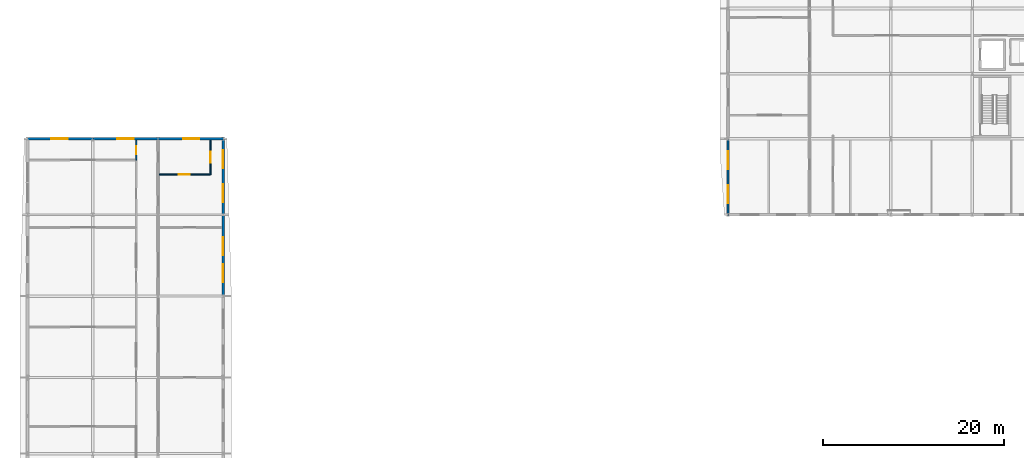
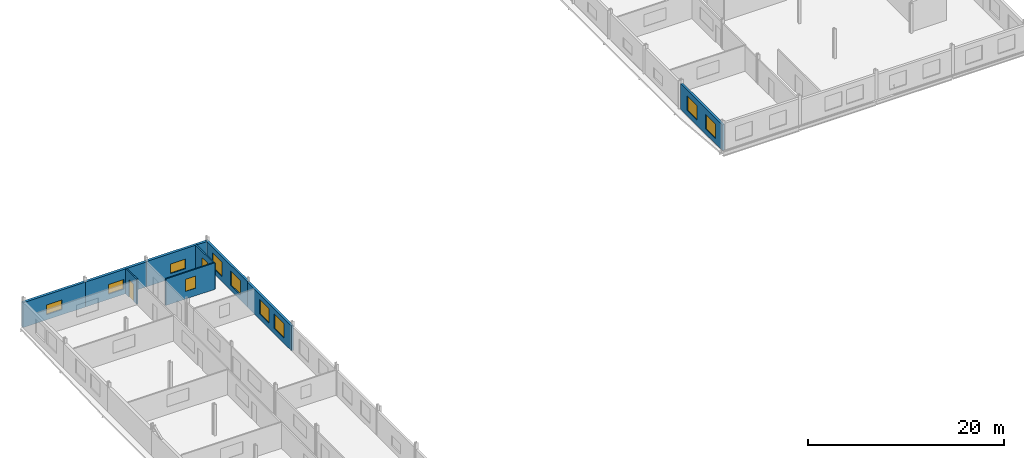
# One storey, part 23 of 30: 11 windows, 9 walls, 1 door, 12 openings.
"""IFC4 building model written with IfcOpenShell, lengths in metres."""

from ifc_helpers import new_model, si_unit, direction, frame, frame_2d, origin, place, context, subcontext, project, spatial, rectangle, extrude, material, layer, layer_set, type_object, element, fill, save


model = new_model("IFC4")

# Units and contexts
model_context = context("Model", 3, precision=1e-05, world=origin(), true_north=direction((0.0, 1.0)))
body_context = subcontext(model_context, "Body", "Model", "MODEL_VIEW")
ifc_project = project(units=[si_unit("LENGTHUNIT", "METRE"), si_unit("AREAUNIT", "SQUARE_METRE"), si_unit("VOLUMEUNIT", "CUBIC_METRE"), si_unit("PLANEANGLEUNIT", "RADIAN"), si_unit("MASSUNIT", "GRAM", prefix="KILO")], contexts=[model_context])

# Site, building, storey
site_placement = place(None, origin())
site = spatial("IfcSite", under=ifc_project, at=site_placement, CompositionType="ELEMENT")
building_placement = place(site_placement, origin())
building = spatial("IfcBuilding", under=site, at=building_placement, Name="Vinh Khe Railworks Police Headquarters", CompositionType="ELEMENT")
storey_placement = place(building_placement, frame((0.0, 0.0, 21.0)))
storey = spatial("IfcBuildingStorey", under=building, at=storey_placement, Name="L05", CompositionType="ELEMENT", Elevation=21.0)

# Wall, openings, windows
ifc_material_1 = material(Name="Clay brickwork", Category="masonry")
ifc_layer_1 = layer(ifc_material_1, 0.260009765625)
ifc_layer_set_1 = layer_set([ifc_layer_1], Name="Clay brickwork")
wall_type_1 = type_object("IfcWallType", Name="EW-BRK-260", PredefinedType="SOLIDWALL", material=ifc_layer_set_1)
wall_1_placement = place(storey_placement, frame((22.199951171875, 113.39990234375, 0.0), z_axis=(0.0, 0.0, 1.0), x_axis=(0.0, 1.0, 0.0)))
wall_1 = element("IfcWall", 1, at=wall_1_placement, inside=storey, type_object=wall_type_1, Name="Exterior Brick Wall EW-L05-V5E-15", PredefinedType="SOLIDWALL", context=body_context, shape_type="SweptSolid", body=[
    extrude(rectangle(XDim=9.0, YDim=0.260009765625, at=frame_2d((4.5, 0.0))), origin(), (0.0, 0.0, 1.0), 3.10498046875),
])
opening_1_placement = place(wall_1_placement, frame((1.52001953125, 0.0, 0.64990234375)))
opening_1 = element("IfcOpeningElement", 2, at=opening_1_placement, cuts=wall_1, Name="Opening WN-04", PredefinedType="OPENING", context=body_context, shape_type="SweptSolid", body=[
    extrude(rectangle(XDim=2.0, YDim=1.800048828125, at=frame_2d((1.0, 0.89990234375))), frame((0.0, 0.14501953125, 0.0), z_axis=(0.0, -1.0, 0.0), x_axis=(1.0, 0.0, 0.0)), (0.0, 0.0, 1.0), 0.289794921875),
])
opening_2_placement = place(wall_1_placement, frame((4.530029296875, 0.0, 0.64990234375)))
opening_2 = element("IfcOpeningElement", 3, at=opening_2_placement, cuts=wall_1, Name="Opening WN-04", PredefinedType="OPENING", context=body_context, shape_type="SweptSolid", body=[
    extrude(rectangle(XDim=2.0, YDim=1.800048828125, at=frame_2d((1.0, 0.89990234375))), frame((0.0, 0.14501953125, 0.0), z_axis=(0.0, -1.0, 0.0), x_axis=(1.0, 0.0, 0.0)), (0.0, 0.0, 1.0), 0.289794921875),
])
ifc_material_2 = material(Name="Double-glazed solar-control glass in dark steel frame", Category="steel")
window_type_1 = type_object("IfcWindowType", Name="WIN-WN-04", PartitioningType="DOUBLE_PANEL_VERTICAL", PredefinedType="WINDOW", material=ifc_material_2)
window_1_placement = place(opening_1_placement, origin())
window_1 = element("IfcWindow", 4, at=window_1_placement, inside=storey, type_object=window_type_1, Name="Casement Window WN-04", OverallHeight=1.800048828125, OverallWidth=2.0, PartitioningType="SINGLE_PANEL", PredefinedType="WINDOW", context=body_context, shape_type="SweptSolid", body=[
    extrude(rectangle(XDim=2.0, YDim=1.800048828125, at=frame_2d((1.0, 0.89990234375))), frame((0.0, 0.030029296875, 0.0), z_axis=(0.0, -1.0, 0.0), x_axis=(1.0, 0.0, 0.0)), (0.0, 0.0, 1.0), 0.06005859375),
])
fill(opening_1, window_1)
window_2_placement = place(opening_2_placement, origin())
window_2 = element("IfcWindow", 5, at=window_2_placement, inside=storey, type_object=window_type_1, Name="Casement Window WN-04", OverallHeight=1.800048828125, OverallWidth=2.0, PartitioningType="SINGLE_PANEL", PredefinedType="WINDOW", context=body_context, shape_type="SweptSolid", body=[
    extrude(rectangle(XDim=2.0, YDim=1.800048828125, at=frame_2d((1.0, 0.89990234375))), frame((0.0, 0.030029296875, 0.0), z_axis=(0.0, -1.0, 0.0), x_axis=(1.0, 0.0, 0.0)), (0.0, 0.0, 1.0), 0.06005859375),
])
fill(opening_2, window_2)

wall_2_placement = place(storey_placement, frame((22.199951171875, 122.39990234375, 0.0), z_axis=(0.0, 0.0, 1.0), x_axis=(0.0, 1.0, 0.0)))
wall_2 = element("IfcWall", 6, at=wall_2_placement, inside=storey, type_object=wall_type_1, Name="Exterior Brick Wall EW-L05-V5E-16", PredefinedType="SOLIDWALL", context=body_context, shape_type="SweptSolid", body=[
    extrude(rectangle(XDim=8.530029296875, YDim=0.260009765625, at=frame_2d((4.26513671875, 0.0))), origin(), (0.0, 0.0, 1.0), 3.155029296875),
])
opening_3_placement = place(wall_2_placement, frame((1.388427734375, 0.0, 0.64990234375)))
opening_3 = element("IfcOpeningElement", 7, at=opening_3_placement, cuts=wall_2, Name="Opening WN-04", PredefinedType="OPENING", context=body_context, shape_type="SweptSolid", body=[
    extrude(rectangle(XDim=2.0, YDim=1.800048828125, at=frame_2d((1.0, 0.89990234375))), frame((0.0, 0.14501953125, 0.0), z_axis=(0.0, -1.0, 0.0), x_axis=(1.0, 0.0, 0.0)), (0.0, 0.0, 1.0), 0.289794921875),
])
opening_4_placement = place(wall_2_placement, frame((5.1416015625, 0.0, 0.64990234375)))
opening_4 = element("IfcOpeningElement", 8, at=opening_4_placement, cuts=wall_2, Name="Opening WN-04", PredefinedType="OPENING", context=body_context, shape_type="SweptSolid", body=[
    extrude(rectangle(XDim=2.0, YDim=1.800048828125, at=frame_2d((1.0, 0.89990234375))), frame((0.0, 0.14501953125, 0.0), z_axis=(0.0, -1.0, 0.0), x_axis=(1.0, 0.0, 0.0)), (0.0, 0.0, 1.0), 0.289794921875),
])
window_3_placement = place(opening_3_placement, origin())
window_3 = element("IfcWindow", 9, at=window_3_placement, inside=storey, type_object=window_type_1, Name="Casement Window WN-04", OverallHeight=1.800048828125, OverallWidth=2.0, PartitioningType="SINGLE_PANEL", PredefinedType="WINDOW", context=body_context, shape_type="SweptSolid", body=[
    extrude(rectangle(XDim=2.0, YDim=1.800048828125, at=frame_2d((1.0, 0.89990234375))), frame((0.0, 0.030029296875, 0.0), z_axis=(0.0, -1.0, 0.0), x_axis=(1.0, 0.0, 0.0)), (0.0, 0.0, 1.0), 0.06005859375),
])
fill(opening_3, window_3)
window_4_placement = place(opening_4_placement, origin())
window_4 = element("IfcWindow", 10, at=window_4_placement, inside=storey, type_object=window_type_1, Name="Casement Window WN-04", OverallHeight=1.800048828125, OverallWidth=2.0, PartitioningType="SINGLE_PANEL", PredefinedType="WINDOW", context=body_context, shape_type="SweptSolid", body=[
    extrude(rectangle(XDim=2.0, YDim=1.800048828125, at=frame_2d((1.0, 0.89990234375))), frame((0.0, 0.030029296875, 0.0), z_axis=(0.0, -1.0, 0.0), x_axis=(1.0, 0.0, 0.0)), (0.0, 0.0, 1.0), 0.06005859375),
])
fill(opening_4, window_4)

wall_3_placement = place(storey_placement, frame((78.0, 122.27001953125, 0.0), z_axis=(0.0, 0.0, 1.0), x_axis=(0.0, 1.0, 0.0)))
wall_3 = element("IfcWall", 11, at=wall_3_placement, inside=storey, type_object=wall_type_1, Name="Exterior Brick Wall EW-L05-V6W-01", PredefinedType="SOLIDWALL", context=body_context, shape_type="SweptSolid", body=[
    extrude(rectangle(XDim=8.530029296875, YDim=0.260009765625, at=frame_2d((4.26513671875, 0.0))), origin(), (0.0, 0.0, 1.0), 3.195068359375),
])
opening_5_placement = place(wall_3_placement, frame((1.388427734375, 0.0, 0.64990234375)))
opening_5 = element("IfcOpeningElement", 12, at=opening_5_placement, cuts=wall_3, Name="Opening WN-04", PredefinedType="OPENING", context=body_context, shape_type="SweptSolid", body=[
    extrude(rectangle(XDim=2.0, YDim=1.800048828125, at=frame_2d((1.0, 0.89990234375))), frame((0.0, 0.14501953125, 0.0), z_axis=(0.0, -1.0, 0.0), x_axis=(1.0, 0.0, 0.0)), (0.0, 0.0, 1.0), 0.289794921875),
])
opening_6_placement = place(wall_3_placement, frame((5.1416015625, 0.0, 0.64990234375)))
opening_6 = element("IfcOpeningElement", 13, at=opening_6_placement, cuts=wall_3, Name="Opening WN-04", PredefinedType="OPENING", context=body_context, shape_type="SweptSolid", body=[
    extrude(rectangle(XDim=2.0, YDim=1.800048828125, at=frame_2d((1.0, 0.89990234375))), frame((0.0, 0.14501953125, 0.0), z_axis=(0.0, -1.0, 0.0), x_axis=(1.0, 0.0, 0.0)), (0.0, 0.0, 1.0), 0.289794921875),
])
window_5_placement = place(opening_5_placement, origin())
window_5 = element("IfcWindow", 14, at=window_5_placement, inside=storey, type_object=window_type_1, Name="Casement Window WN-04", OverallHeight=1.800048828125, OverallWidth=2.0, PartitioningType="SINGLE_PANEL", PredefinedType="WINDOW", context=body_context, shape_type="SweptSolid", body=[
    extrude(rectangle(XDim=2.0, YDim=1.800048828125, at=frame_2d((1.0, 0.89990234375))), frame((0.0, 0.030029296875, 0.0), z_axis=(0.0, -1.0, 0.0), x_axis=(1.0, 0.0, 0.0)), (0.0, 0.0, 1.0), 0.06005859375),
])
fill(opening_5, window_5)
window_6_placement = place(opening_6_placement, origin())
window_6 = element("IfcWindow", 15, at=window_6_placement, inside=storey, type_object=window_type_1, Name="Casement Window WN-04", OverallHeight=1.800048828125, OverallWidth=2.0, PartitioningType="SINGLE_PANEL", PredefinedType="WINDOW", context=body_context, shape_type="SweptSolid", body=[
    extrude(rectangle(XDim=2.0, YDim=1.800048828125, at=frame_2d((1.0, 0.89990234375))), frame((0.0, 0.030029296875, 0.0), z_axis=(0.0, -1.0, 0.0), x_axis=(1.0, 0.0, 0.0)), (0.0, 0.0, 1.0), 0.06005859375),
])
fill(opening_6, window_6)

# Wall, opening, window
ifc_layer_2 = layer(ifc_material_1, 0.300048828125)
ifc_layer_set_2 = layer_set([ifc_layer_2], Name="Clay brickwork")
wall_type_2 = type_object("IfcWallType", Name="EW-BRK-300", PredefinedType="SOLIDWALL", material=ifc_layer_set_2)
wall_4_placement = place(storey_placement, frame((0.449951171875, 130.800048828125, 0.0), z_axis=(0.0, 0.0, 1.0), x_axis=(1.0, 0.0, 0.0)))
wall_4 = element("IfcWall", 16, at=wall_4_placement, inside=storey, type_object=wall_type_2, Name="Exterior Brick Wall EW-L05-V5N-01", PredefinedType="SOLIDWALL", context=body_context, shape_type="SweptSolid", body=[
    extrude(rectangle(XDim=7.35009765625, YDim=0.300048828125, at=frame_2d((3.675048828125, 0.0))), origin(), (0.0, 0.0, 1.0), 3.094970703125),
])
opening_7_placement = place(wall_4_placement, frame((2.77490234375, 0.0, 0.64990234375)))
opening_7 = element("IfcOpeningElement", 17, at=opening_7_placement, cuts=wall_4, Name="Opening WN-08", PredefinedType="OPENING", context=body_context, shape_type="SweptSolid", body=[
    extrude(rectangle(XDim=1.800048828125, YDim=1.199951171875, at=frame_2d((0.89990234375, 0.60009765625))), frame((0.0, 0.1650390625, 0.0), z_axis=(0.0, -1.0, 0.0), x_axis=(1.0, 0.0, 0.0)), (0.0, 0.0, 1.0), 0.329833984375),
])
window_type_2 = type_object("IfcWindowType", Name="WIN-WN-08", PartitioningType="SINGLE_PANEL", PredefinedType="WINDOW", material=ifc_material_2)
window_7_placement = place(opening_7_placement, origin())
window_7 = element("IfcWindow", 18, at=window_7_placement, inside=storey, type_object=window_type_2, Name="Casement Window WN-08", OverallHeight=1.199951171875, OverallWidth=1.800048828125, PartitioningType="SINGLE_PANEL", PredefinedType="WINDOW", context=body_context, shape_type="SweptSolid", body=[
    extrude(rectangle(XDim=1.800048828125, YDim=1.199951171875, at=frame_2d((0.89990234375, 0.60009765625))), frame((0.0, 0.030029296875, 0.0), z_axis=(0.0, -1.0, 0.0), x_axis=(1.0, 0.0, 0.0)), (0.0, 0.0, 1.0), 0.06005859375),
])
fill(opening_7, window_7)

wall_5_placement = place(storey_placement, frame((7.800048828125, 130.800048828125, 0.0), z_axis=(0.0, 0.0, 1.0), x_axis=(1.0, 0.0, 0.0)))
wall_5 = element("IfcWall", 19, at=wall_5_placement, inside=storey, type_object=wall_type_2, Name="Exterior Brick Wall EW-L05-V5N-02", PredefinedType="SOLIDWALL", context=body_context, shape_type="SweptSolid", body=[
    extrude(rectangle(XDim=7.199951171875, YDim=0.300048828125, at=frame_2d((3.60009765625, 0.0))), origin(), (0.0, 0.0, 1.0), 3.094970703125),
])
opening_8_placement = place(wall_5_placement, frame((2.699951171875, 0.0, 0.64990234375)))
opening_8 = element("IfcOpeningElement", 20, at=opening_8_placement, cuts=wall_5, Name="Opening WN-08", PredefinedType="OPENING", context=body_context, shape_type="SweptSolid", body=[
    extrude(rectangle(XDim=1.800048828125, YDim=1.199951171875, at=frame_2d((0.89990234375, 0.60009765625))), frame((0.0, 0.1650390625, 0.0), z_axis=(0.0, -1.0, 0.0), x_axis=(1.0, 0.0, 0.0)), (0.0, 0.0, 1.0), 0.329833984375),
])
window_8_placement = place(opening_8_placement, origin())
window_8 = element("IfcWindow", 21, at=window_8_placement, inside=storey, type_object=window_type_2, Name="Casement Window WN-08", OverallHeight=1.199951171875, OverallWidth=1.800048828125, PartitioningType="SINGLE_PANEL", PredefinedType="WINDOW", context=body_context, shape_type="SweptSolid", body=[
    extrude(rectangle(XDim=1.800048828125, YDim=1.199951171875, at=frame_2d((0.89990234375, 0.60009765625))), frame((0.0, 0.030029296875, 0.0), z_axis=(0.0, -1.0, 0.0), x_axis=(1.0, 0.0, 0.0)), (0.0, 0.0, 1.0), 0.06005859375),
])
fill(opening_8, window_8)

wall_6_placement = place(storey_placement, frame((15.0, 130.800048828125, 0.0), z_axis=(0.0, 0.0, 1.0), x_axis=(1.0, 0.0, 0.0)))
wall_6 = element("IfcWall", 22, at=wall_6_placement, inside=storey, type_object=wall_type_2, Name="Exterior Brick Wall EW-L05-V5N-03", PredefinedType="SOLIDWALL", context=body_context, shape_type="SweptSolid", body=[
    extrude(rectangle(XDim=7.35009765625, YDim=0.300048828125, at=frame_2d((3.675048828125, 0.0))), origin(), (0.0, 0.0, 1.0), 3.14501953125),
])
opening_9_placement = place(wall_6_placement, frame((2.77490234375, 0.0, 0.64990234375)))
opening_9 = element("IfcOpeningElement", 23, at=opening_9_placement, cuts=wall_6, Name="Opening WN-08", PredefinedType="OPENING", context=body_context, shape_type="SweptSolid", body=[
    extrude(rectangle(XDim=1.800048828125, YDim=1.199951171875, at=frame_2d((0.89990234375, 0.60009765625))), frame((0.0, 0.1650390625, 0.0), z_axis=(0.0, -1.0, 0.0), x_axis=(1.0, 0.0, 0.0)), (0.0, 0.0, 1.0), 0.329833984375),
])
window_9_placement = place(opening_9_placement, origin())
window_9 = element("IfcWindow", 24, at=window_9_placement, inside=storey, type_object=window_type_2, Name="Casement Window WN-08", OverallHeight=1.199951171875, OverallWidth=1.800048828125, PartitioningType="SINGLE_PANEL", PredefinedType="WINDOW", context=body_context, shape_type="SweptSolid", body=[
    extrude(rectangle(XDim=1.800048828125, YDim=1.199951171875, at=frame_2d((0.89990234375, 0.60009765625))), frame((0.0, 0.030029296875, 0.0), z_axis=(0.0, -1.0, 0.0), x_axis=(1.0, 0.0, 0.0)), (0.0, 0.0, 1.0), 0.06005859375),
])
fill(opening_9, window_9)

ifc_material_3 = material(Name="Gypsum plasterboard on steel stud", Category="steel")
ifc_layer_3 = layer(ifc_material_3, 0.1201171875)
ifc_layer_set_3 = layer_set([ifc_layer_3], Name="Gypsum plasterboard on steel stud")
wall_type_3 = type_object("IfcWallType", Name="IW-PART-120", PredefinedType="PARTITIONING", material=ifc_layer_set_3)
wall_7_placement = place(storey_placement, frame((15.0, 126.846923828125, 0.0), z_axis=(0.0, 0.0, 1.0), x_axis=(1.0, 0.0, 0.0)))
wall_7 = element("IfcWall", 25, at=wall_7_placement, inside=storey, type_object=wall_type_3, Name="Interior Partition W-L05-V5-AWCL5S-DIV", PredefinedType="PARTITIONING", context=body_context, shape_type="SweptSolid", body=[
    extrude(rectangle(XDim=5.800048828125, YDim=0.14990234375, at=frame_2d((2.89990234375, 0.0))), origin(), (0.0, 0.0, 1.0), 3.304931640625),
])
opening_10_placement = place(wall_7_placement, frame((2.300048828125, 0.0, 0.949951171875)))
opening_10 = element("IfcOpeningElement", 26, at=opening_10_placement, cuts=wall_7, Name="Opening WN-10", PredefinedType="OPENING", context=body_context, shape_type="SweptSolid", body=[
    extrude(rectangle(XDim=1.199951171875, YDim=1.5, at=frame_2d((0.60009765625, 0.75))), frame((0.0, 0.08984375, 0.0), z_axis=(0.0, -1.0, 0.0), x_axis=(1.0, 0.0, 0.0)), (0.0, 0.0, 1.0), 0.1796875),
])
window_type_3 = type_object("IfcWindowType", Name="WIN-WN-10", PartitioningType="SINGLE_PANEL", PredefinedType="WINDOW", material=ifc_material_2)
window_10_placement = place(opening_10_placement, origin())
window_10 = element("IfcWindow", 27, at=window_10_placement, inside=storey, type_object=window_type_3, Name="Interior Acoustic Vision Window WN-10", OverallHeight=1.5, OverallWidth=1.199951171875, PartitioningType="SINGLE_PANEL", PredefinedType="WINDOW", context=body_context, shape_type="SweptSolid", body=[
    extrude(rectangle(XDim=1.199951171875, YDim=1.5, at=frame_2d((0.60009765625, 0.75))), frame((0.0, 0.030029296875, 0.0), z_axis=(0.0, -1.0, 0.0), x_axis=(1.0, 0.0, 0.0)), (0.0, 0.0, 1.0), 0.06005859375),
])
fill(opening_10, window_10)

wall_8_placement = place(storey_placement, frame((20.800048828125, 126.846923828125, 0.0), z_axis=(0.0, 0.0, 1.0), x_axis=(0.0, 1.0, 0.0)))
wall_8 = element("IfcWall", 28, at=wall_8_placement, inside=storey, type_object=wall_type_3, Name="Interior Partition W-L05-V5-AWCL5-REAR", PredefinedType="PARTITIONING", context=body_context, shape_type="SweptSolid", body=[
    extrude(rectangle(XDim=3.79296875, YDim=0.14990234375, at=frame_2d((1.896484375, 0.0))), origin(), (0.0, 0.0, 1.0), 3.195068359375),
])
opening_11_placement = place(wall_8_placement, frame((1.29638671875, 0.0, 0.949951171875)))
opening_11 = element("IfcOpeningElement", 29, at=opening_11_placement, cuts=wall_8, Name="Opening WN-10", PredefinedType="OPENING", context=body_context, shape_type="SweptSolid", body=[
    extrude(rectangle(XDim=1.199951171875, YDim=1.5, at=frame_2d((0.60009765625, 0.75))), frame((0.0, 0.08984375, 0.0), z_axis=(0.0, -1.0, 0.0), x_axis=(1.0, 0.0, 0.0)), (0.0, 0.0, 1.0), 0.1796875),
])
window_11_placement = place(opening_11_placement, origin())
window_11 = element("IfcWindow", 30, at=window_11_placement, inside=storey, type_object=window_type_3, Name="Interior Acoustic Vision Window WN-10", OverallHeight=1.5, OverallWidth=1.199951171875, PartitioningType="SINGLE_PANEL", PredefinedType="WINDOW", context=body_context, shape_type="SweptSolid", body=[
    extrude(rectangle(XDim=1.199951171875, YDim=1.5, at=frame_2d((0.60009765625, 0.75))), frame((0.0, 0.030029296875, 0.0), z_axis=(0.0, -1.0, 0.0), x_axis=(1.0, 0.0, 0.0)), (0.0, 0.0, 1.0), 0.06005859375),
])
fill(opening_11, window_11)

# Wall, opening, door
ifc_material_4 = material(Name="Gypsum plasterboard on acoustic steel stud", Category="steel")
ifc_layer_4 = layer(ifc_material_4, 0.14990234375)
ifc_layer_set_4 = layer_set([ifc_layer_4], Name="Gypsum plasterboard on acoustic steel stud")
wall_type_4 = type_object("IfcWallType", Name="IW-PART-150", PredefinedType="PARTITIONING", material=ifc_layer_set_4)
wall_9_placement = place(storey_placement, frame((12.60009765625, 128.43994140625, 0.0), z_axis=(0.0, 0.0, 1.0), x_axis=(0.0, 1.0, 0.0)))
wall_9 = element("IfcWall", 31, at=wall_9_placement, inside=storey, type_object=wall_type_4, Name="Interior Partition W-L05-V5-WCL5-CW", PredefinedType="PARTITIONING", context=body_context, shape_type="SweptSolid", body=[
    extrude(rectangle(XDim=2.199951171875, YDim=0.14990234375, at=frame_2d((1.10009765625, 0.0))), origin(), (0.0, 0.0, 1.0), 3.14501953125),
])
opening_12_placement = place(wall_9_placement, frame((0.64990234375, 0.0, 0.0)))
opening_12 = element("IfcOpeningElement", 32, at=opening_12_placement, cuts=wall_9, Name="Opening D-04", PredefinedType="OPENING", context=body_context, shape_type="SweptSolid", body=[
    extrude(rectangle(XDim=0.89990234375, YDim=2.14990234375, at=frame_2d((0.449951171875, 1.074951171875))), frame((0.0, 0.08984375, 0.0), z_axis=(0.0, -1.0, 0.0), x_axis=(1.0, 0.0, 0.0)), (0.0, 0.0, 1.0), 0.1796875),
])
ifc_material_5 = material(Name="Seasoned hardwood timber", Category="wood")
door_type = type_object("IfcDoorType", Name="ID-900x2150", OperationType="NOTDEFINED", PredefinedType="DOOR", material=ifc_material_5)
door_placement = place(opening_12_placement, origin())
door = element("IfcDoor", 33, at=door_placement, inside=storey, type_object=door_type, Name="Staff WC L05 Door", OperationType="SINGLE_SWING_RIGHT", OverallHeight=2.14990234375, OverallWidth=0.89990234375, PredefinedType="DOOR", context=body_context, shape_type="SweptSolid", body=[
    extrude(rectangle(XDim=0.89990234375, YDim=2.14990234375, at=frame_2d((0.449951171875, 1.074951171875))), frame((0.0, 0.02490234375, 0.0), z_axis=(0.0, -1.0, 0.0), x_axis=(1.0, 0.0, 0.0)), (0.0, 0.0, 1.0), 0.050048828125),
])
fill(opening_12, door)

save(model, "model.ifc")
